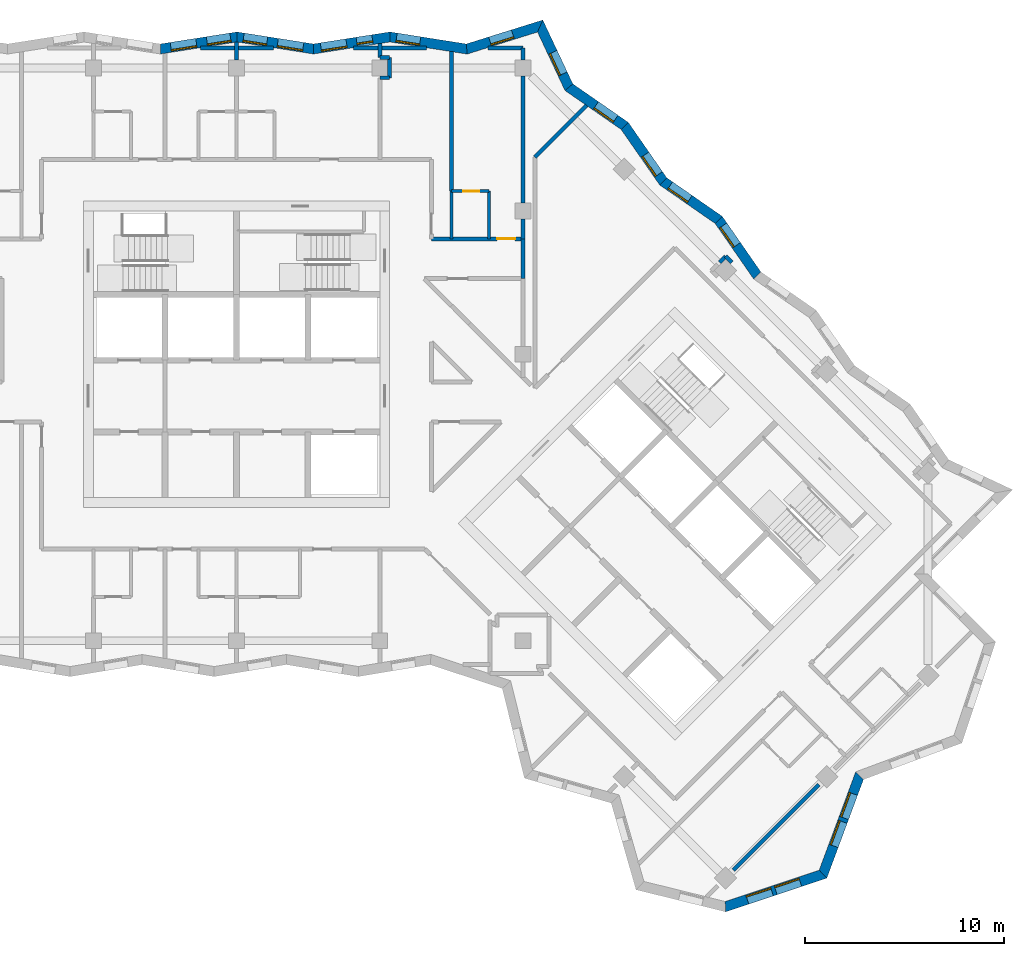
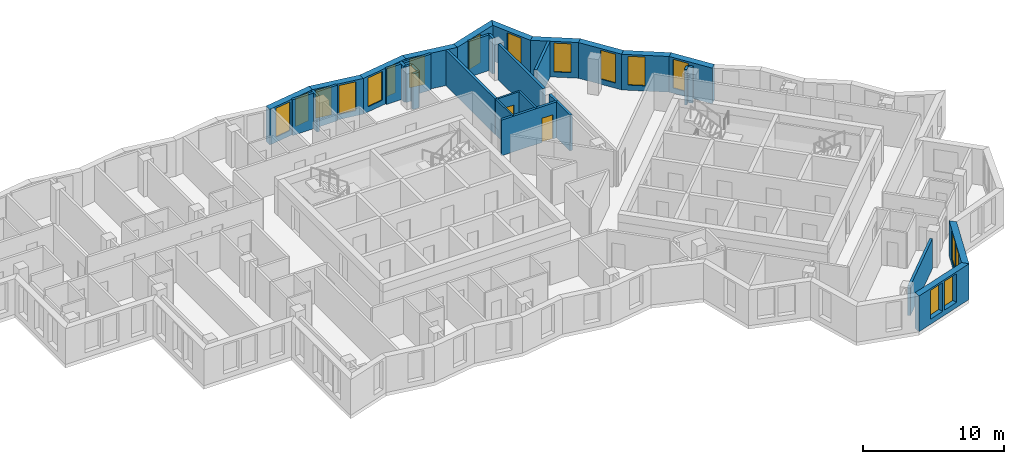
# One storey, part 8 of 13: 33 walls, 17 windows, 2 doors, 19 openings.
"""IFC4 building model written with IfcOpenShell, lengths in metres."""

from ifc_helpers import new_model, si_unit, direction, frame, frame_2d, origin, place, context, subcontext, project, spatial, polyline, rectangle, outline, extrude, material, layer, layer_set, type_object, element, fill, save


model = new_model("IFC4")

# Units and contexts
model_context = context("Model", 3, precision=1e-05, world=origin(), true_north=direction((0.0, 1.0)))
body_context = subcontext(model_context, "Body", "Model", "MODEL_VIEW")
ifc_project = project(units=[si_unit("LENGTHUNIT", "METRE"), si_unit("AREAUNIT", "SQUARE_METRE"), si_unit("VOLUMEUNIT", "CUBIC_METRE"), si_unit("PLANEANGLEUNIT", "RADIAN"), si_unit("MASSUNIT", "GRAM", prefix="KILO")], contexts=[model_context])

# Site, building, storey
site_placement = place(None, origin())
site = spatial("IfcSite", under=ifc_project, at=site_placement, CompositionType="ELEMENT")
building_placement = place(site_placement, origin())
building = spatial("IfcBuilding", under=site, at=building_placement, Name="Windrow Commons", CompositionType="ELEMENT")
storey_placement = place(building_placement, frame((0.0, 0.0, 223.6)))
storey = spatial("IfcBuildingStorey", under=building, at=storey_placement, Name="L61", CompositionType="ELEMENT", Elevation=223.6)

# Wall, openings, windows
ifc_material_1 = material(Name="Brick masonry, red clay brick", Category="masonry")
ifc_layer_1 = layer(ifc_material_1, 0.5)
ifc_layer_set_1 = layer_set([ifc_layer_1], Name="Brick facade wall 500")
wall_type_1 = type_object("IfcWallType", Name="Brick facade wall 500", PredefinedType="SOLIDWALL", material=ifc_layer_set_1)
wall_1_placement = place(storey_placement, frame((89.3719, 29.8336, 0.0), z_axis=(0.0, 0.0, 1.0), x_axis=(0.9486832981, 0.316227766, 0.0)))
wall_1 = element("IfcWall", 1, at=wall_1_placement, inside=storey, type_object=wall_type_1, Name="Brick facade wall L61 1", PredefinedType="SOLIDWALL", context=body_context, shape_type="SweptSolid", body=[
    extrude(outline(polyline([(-0.0723, -0.25), (5.2942, -0.25), (5.0547, 0.25), (0.0723, 0.25), (-0.0723, -0.25)])), origin(), (0.0, 0.0, 1.0), 3.1),
])
opening_1_placement = place(wall_1_placement, frame((1.1595, 0.0, 0.45)))
opening_1 = element("IfcOpeningElement", 2, at=opening_1_placement, cuts=wall_1, Name="Opening W1Q", PredefinedType="OPENING", context=body_context, shape_type="SweptSolid", body=[
    extrude(rectangle(XDim=1.3, YDim=2.5, at=frame_2d((0.65, 1.25))), frame((0.0, 0.26, 0.0), z_axis=(0.0, -1.0, 0.0), x_axis=(1.0, 0.0, 0.0)), (0.0, 0.0, 1.0), 0.52),
])
opening_2_placement = place(wall_1_placement, frame((2.6595, 0.0, 0.45)))
opening_2 = element("IfcOpeningElement", 3, at=opening_2_placement, cuts=wall_1, Name="Opening W1Q", PredefinedType="OPENING", context=body_context, shape_type="SweptSolid", body=[
    extrude(rectangle(XDim=1.3, YDim=2.5, at=frame_2d((0.65, 1.25))), frame((0.0, 0.26, 0.0), z_axis=(0.0, -1.0, 0.0), x_axis=(1.0, 0.0, 0.0)), (0.0, 0.0, 1.0), 0.52),
])
ifc_material_2 = material(Name="Clear float glass in anodised aluminium frame", Category="aluminium")
window_type_1 = type_object("IfcWindowType", Name="Window W1Q pair 1300x2500", PartitioningType="SINGLE_PANEL", PredefinedType="WINDOW", material=ifc_material_2)
window_1_placement = place(opening_1_placement, origin())
window_1 = element("IfcWindow", 4, at=window_1_placement, inside=storey, type_object=window_type_1, Name="Window L61 1.1A", OverallHeight=2.5, OverallWidth=1.3, PartitioningType="SINGLE_PANEL", PredefinedType="WINDOW", context=body_context, shape_type="SweptSolid", body=[
    extrude(rectangle(XDim=1.3, YDim=2.5, at=frame_2d((0.65, 1.25))), frame((0.0, 0.18, 0.0), z_axis=(0.0, -1.0, 0.0), x_axis=(1.0, 0.0, 0.0)), (0.0, 0.0, 1.0), 0.06),
])
fill(opening_1, window_1)
window_2_placement = place(opening_2_placement, origin())
window_2 = element("IfcWindow", 5, at=window_2_placement, inside=storey, type_object=window_type_1, Name="Window L61 1.1B", OverallHeight=2.5, OverallWidth=1.3, PartitioningType="SINGLE_PANEL", PredefinedType="WINDOW", context=body_context, shape_type="SweptSolid", body=[
    extrude(rectangle(XDim=1.3, YDim=2.5, at=frame_2d((0.65, 1.25))), frame((0.0, 0.18, 0.0), z_axis=(0.0, -1.0, 0.0), x_axis=(1.0, 0.0, 0.0)), (0.0, 0.0, 1.0), 0.06),
])
fill(opening_2, window_2)

wall_2_placement = place(storey_placement, frame((94.2808, 31.4699, 0.0), z_axis=(0.0, 0.0, 1.0), x_axis=(0.3481903374, 0.9374238577, 0.0)))
wall_2 = element("IfcWall", 6, at=wall_2_placement, inside=storey, type_object=wall_type_1, Name="Brick facade wall L61 2", PredefinedType="SOLIDWALL", context=body_context, shape_type="SweptSolid", body=[
    extrude(outline(polyline([(-0.1197, -0.25), (5.1604, -0.25), (5.3896, 0.25), (0.1197, 0.25), (-0.1197, -0.25)])), origin(), (0.0, 0.0, 1.0), 3.1),
])
opening_3_placement = place(wall_2_placement, frame((1.5123, 0.0, 0.45)))
opening_3 = element("IfcOpeningElement", 7, at=opening_3_placement, cuts=wall_2, Name="Opening W1Q", PredefinedType="OPENING", context=body_context, shape_type="SweptSolid", body=[
    extrude(rectangle(XDim=1.3, YDim=2.5, at=frame_2d((0.65, 1.25))), frame((0.0, 0.26, 0.0), z_axis=(0.0, -1.0, 0.0), x_axis=(1.0, 0.0, 0.0)), (0.0, 0.0, 1.0), 0.52),
])
opening_4_placement = place(wall_2_placement, frame((3.0123, 0.0, 0.45)))
opening_4 = element("IfcOpeningElement", 8, at=opening_4_placement, cuts=wall_2, Name="Opening W1Q", PredefinedType="OPENING", context=body_context, shape_type="SweptSolid", body=[
    extrude(rectangle(XDim=1.3, YDim=2.5, at=frame_2d((0.65, 1.25))), frame((0.0, 0.26, 0.0), z_axis=(0.0, -1.0, 0.0), x_axis=(1.0, 0.0, 0.0)), (0.0, 0.0, 1.0), 0.52),
])
window_3_placement = place(opening_3_placement, origin())
window_3 = element("IfcWindow", 9, at=window_3_placement, inside=storey, type_object=window_type_1, Name="Window L61 2.1A", OverallHeight=2.5, OverallWidth=1.3, PartitioningType="SINGLE_PANEL", PredefinedType="WINDOW", context=body_context, shape_type="SweptSolid", body=[
    extrude(rectangle(XDim=1.3, YDim=2.5, at=frame_2d((0.65, 1.25))), frame((0.0, 0.18, 0.0), z_axis=(0.0, -1.0, 0.0), x_axis=(1.0, 0.0, 0.0)), (0.0, 0.0, 1.0), 0.06),
])
fill(opening_3, window_3)
window_4_placement = place(opening_4_placement, origin())
window_4 = element("IfcWindow", 10, at=window_4_placement, inside=storey, type_object=window_type_1, Name="Window L61 2.1B", OverallHeight=2.5, OverallWidth=1.3, PartitioningType="SINGLE_PANEL", PredefinedType="WINDOW", context=body_context, shape_type="SweptSolid", body=[
    extrude(rectangle(XDim=1.3, YDim=2.5, at=frame_2d((0.65, 1.25))), frame((0.0, 0.18, 0.0), z_axis=(0.0, -1.0, 0.0), x_axis=(1.0, 0.0, 0.0)), (0.0, 0.0, 1.0), 0.06),
])
fill(opening_4, window_4)

# Wall, opening, window
wall_3_placement = place(storey_placement, frame((90.9721, 61.5657, 0.0), z_axis=(0.0, 0.0, 1.0), x_axis=(-0.5702025117, 0.8215041665, 0.0)))
wall_3 = element("IfcWall", 11, at=wall_3_placement, inside=storey, type_object=wall_type_1, Name="Brick facade wall L61 12", PredefinedType="SOLIDWALL", context=body_context, shape_type="SweptSolid", body=[
    extrude(outline(polyline([(0.0451, -0.25), (3.4387, -0.25), (3.3484, 0.25), (-0.0451, 0.25), (0.0451, -0.25)])), origin(), (0.0, 0.0, 1.0), 3.1),
])
opening_5_placement = place(wall_3_placement, frame((1.8359, 0.0, 0.45)))
opening_5 = element("IfcOpeningElement", 12, at=opening_5_placement, cuts=wall_3, Name="Opening W7E", PredefinedType="OPENING", context=body_context, shape_type="SweptSolid", body=[
    extrude(rectangle(XDim=1.2, YDim=2.5, at=frame_2d((0.6, 1.25))), frame((0.0, 0.26, 0.0), z_axis=(0.0, -1.0, 0.0), x_axis=(1.0, 0.0, 0.0)), (0.0, 0.0, 1.0), 0.52),
])
ifc_material_3 = material(Name="Clear float glass in anodised aluminium frame", Category="aluminium")
window_type_2 = type_object("IfcWindowType", Name="Window W7 notch 1200x2500", PartitioningType="SINGLE_PANEL", PredefinedType="WINDOW", material=ifc_material_3)
window_5_placement = place(opening_5_placement, origin())
window_5 = element("IfcWindow", 13, at=window_5_placement, inside=storey, type_object=window_type_2, Name="Window L61 12.1", OverallHeight=2.5, OverallWidth=1.2, PartitioningType="SINGLE_PANEL", PredefinedType="WINDOW", context=body_context, shape_type="SweptSolid", body=[
    extrude(rectangle(XDim=1.2, YDim=2.5, at=frame_2d((0.6, 1.25))), frame((0.0, 0.18, 0.0), z_axis=(0.0, -1.0, 0.0), x_axis=(1.0, 0.0, 0.0)), (0.0, 0.0, 1.0), 0.06),
])
fill(opening_5, window_5)

wall_4_placement = place(storey_placement, frame((89.0371, 64.3535, 0.0), z_axis=(0.0, 0.0, 1.0), x_axis=(-0.8215041665, 0.5702025117, 0.0)))
wall_4 = element("IfcWall", 14, at=wall_4_placement, inside=storey, type_object=wall_type_1, Name="Brick facade wall L61 13", PredefinedType="SOLIDWALL", context=body_context, shape_type="SweptSolid", body=[
    extrude(outline(polyline([(-0.0451, -0.25), (3.3484, -0.25), (3.4387, 0.25), (0.0451, 0.25), (-0.0451, -0.25)])), origin(), (0.0, 0.0, 1.0), 3.1),
])
opening_6_placement = place(wall_4_placement, frame((1.7908, 0.0, 0.45)))
opening_6 = element("IfcOpeningElement", 15, at=opening_6_placement, cuts=wall_4, Name="Opening W7E", PredefinedType="OPENING", context=body_context, shape_type="SweptSolid", body=[
    extrude(rectangle(XDim=1.2, YDim=2.5, at=frame_2d((0.6, 1.25))), frame((0.0, 0.26, 0.0), z_axis=(0.0, -1.0, 0.0), x_axis=(1.0, 0.0, 0.0)), (0.0, 0.0, 1.0), 0.52),
])
window_6_placement = place(opening_6_placement, origin())
window_6 = element("IfcWindow", 16, at=window_6_placement, inside=storey, type_object=window_type_2, Name="Window L61 13.1", OverallHeight=2.5, OverallWidth=1.2, PartitioningType="SINGLE_PANEL", PredefinedType="WINDOW", context=body_context, shape_type="SweptSolid", body=[
    extrude(rectangle(XDim=1.2, YDim=2.5, at=frame_2d((0.6, 1.25))), frame((0.0, 0.18, 0.0), z_axis=(0.0, -1.0, 0.0), x_axis=(1.0, 0.0, 0.0)), (0.0, 0.0, 1.0), 0.06),
])
fill(opening_6, window_6)

wall_5_placement = place(storey_placement, frame((86.2493, 66.2885, 0.0), z_axis=(0.0, 0.0, 1.0), x_axis=(-0.5702025117, 0.8215041665, 0.0)))
wall_5 = element("IfcWall", 17, at=wall_5_placement, inside=storey, type_object=wall_type_1, Name="Brick facade wall L61 14", PredefinedType="SOLIDWALL", context=body_context, shape_type="SweptSolid", body=[
    extrude(outline(polyline([(0.0451, -0.25), (3.4387, -0.25), (3.3484, 0.25), (-0.0451, 0.25), (0.0451, -0.25)])), origin(), (0.0, 0.0, 1.0), 3.1),
])
opening_7_placement = place(wall_5_placement, frame((0.4264, 0.0, 0.45)))
opening_7 = element("IfcOpeningElement", 18, at=opening_7_placement, cuts=wall_5, Name="Opening W7E", PredefinedType="OPENING", context=body_context, shape_type="SweptSolid", body=[
    extrude(rectangle(XDim=1.2, YDim=2.5, at=frame_2d((0.6, 1.25))), frame((0.0, 0.26, 0.0), z_axis=(0.0, -1.0, 0.0), x_axis=(1.0, 0.0, 0.0)), (0.0, 0.0, 1.0), 0.52),
])
window_7_placement = place(opening_7_placement, origin())
window_7 = element("IfcWindow", 19, at=window_7_placement, inside=storey, type_object=window_type_2, Name="Window L61 14.1", OverallHeight=2.5, OverallWidth=1.2, PartitioningType="SINGLE_PANEL", PredefinedType="WINDOW", context=body_context, shape_type="SweptSolid", body=[
    extrude(rectangle(XDim=1.2, YDim=2.5, at=frame_2d((0.6, 1.25))), frame((0.0, 0.18, 0.0), z_axis=(0.0, -1.0, 0.0), x_axis=(1.0, 0.0, 0.0)), (0.0, 0.0, 1.0), 0.06),
])
fill(opening_7, window_7)

wall_6_placement = place(storey_placement, frame((84.3143, 69.0763, 0.0), z_axis=(0.0, 0.0, 1.0), x_axis=(-0.8215033056, 0.5702037521, 0.0)))
wall_6 = element("IfcWall", 20, at=wall_6_placement, inside=storey, type_object=wall_type_1, Name="Brick facade wall L61 15", PredefinedType="SOLIDWALL", context=body_context, shape_type="SweptSolid", body=[
    extrude(outline(polyline([(-0.0451, -0.25), (3.3484, -0.25), (3.4826, 0.25), (0.0451, 0.25), (-0.0451, -0.25)])), origin(), (0.0, 0.0, 1.0), 3.1),
])
opening_8_placement = place(wall_6_placement, frame((0.5813, 0.0, 0.45)))
opening_8 = element("IfcOpeningElement", 21, at=opening_8_placement, cuts=wall_6, Name="Opening W7E", PredefinedType="OPENING", context=body_context, shape_type="SweptSolid", body=[
    extrude(rectangle(XDim=1.2, YDim=2.5, at=frame_2d((0.6, 1.25))), frame((0.0, 0.26, 0.0), z_axis=(0.0, -1.0, 0.0), x_axis=(1.0, 0.0, 0.0)), (0.0, 0.0, 1.0), 0.52),
])
window_8_placement = place(opening_8_placement, origin())
window_8 = element("IfcWindow", 22, at=window_8_placement, inside=storey, type_object=window_type_2, Name="Window L61 15.1", OverallHeight=2.5, OverallWidth=1.2, PartitioningType="SINGLE_PANEL", PredefinedType="WINDOW", context=body_context, shape_type="SweptSolid", body=[
    extrude(rectangle(XDim=1.2, YDim=2.5, at=frame_2d((0.6, 1.25))), frame((0.0, 0.18, 0.0), z_axis=(0.0, -1.0, 0.0), x_axis=(1.0, 0.0, 0.0)), (0.0, 0.0, 1.0), 0.06),
])
fill(opening_8, window_8)

wall_7_placement = place(storey_placement, frame((81.5085, 71.0238, 0.0), z_axis=(0.0, 0.0, 1.0), x_axis=(-0.4256057347, 0.9049087018, 0.0)))
wall_7 = element("IfcWall", 23, at=wall_7_placement, inside=storey, type_object=wall_type_1, Name="Brick facade wall L61 16", PredefinedType="SOLIDWALL", context=body_context, shape_type="SweptSolid", body=[
    extrude(outline(polyline([(0.0671, -0.25), (3.6167, -0.25), (3.1806, 0.25), (-0.0671, 0.25), (0.0671, -0.25)])), origin(), (0.0, 0.0, 1.0), 3.1),
])
opening_9_placement = place(wall_7_placement, frame((0.7344, 0.0, 0.45)))
opening_9 = element("IfcOpeningElement", 24, at=opening_9_placement, cuts=wall_7, Name="Opening W7E", PredefinedType="OPENING", context=body_context, shape_type="SweptSolid", body=[
    extrude(rectangle(XDim=1.2, YDim=2.5, at=frame_2d((0.6, 1.25))), frame((0.0, 0.26, 0.0), z_axis=(0.0, -1.0, 0.0), x_axis=(1.0, 0.0, 0.0)), (0.0, 0.0, 1.0), 0.52),
])
window_9_placement = place(opening_9_placement, origin())
window_9 = element("IfcWindow", 25, at=window_9_placement, inside=storey, type_object=window_type_2, Name="Window L61 16.1", OverallHeight=2.5, OverallWidth=1.2, PartitioningType="SINGLE_PANEL", PredefinedType="WINDOW", context=body_context, shape_type="SweptSolid", body=[
    extrude(rectangle(XDim=1.2, YDim=2.5, at=frame_2d((0.6, 1.25))), frame((0.0, 0.18, 0.0), z_axis=(0.0, -1.0, 0.0), x_axis=(1.0, 0.0, 0.0)), (0.0, 0.0, 1.0), 0.06),
])
fill(opening_9, window_9)

wall_8_placement = place(storey_placement, frame((80.062, 74.0993, 0.0), z_axis=(0.0, 0.0, 1.0), x_axis=(-0.9543289305, -0.2987579161, 0.0)))
wall_8 = element("IfcWall", 26, at=wall_8_placement, inside=storey, type_object=wall_type_1, Name="Brick facade wall L61 17", PredefinedType="SOLIDWALL", context=body_context, shape_type="SweptSolid", body=[
    extrude(outline(polyline([(-0.2181, -0.25), (3.8086, -0.25), (3.9254, 0.25), (0.2181, 0.25), (-0.2181, -0.25)])), origin(), (0.0, 0.0, 1.0), 3.1),
])
opening_10_placement = place(wall_8_placement, frame((1.4351, 0.0, 0.45)))
opening_10 = element("IfcOpeningElement", 27, at=opening_10_placement, cuts=wall_8, Name="Opening W7E", PredefinedType="OPENING", context=body_context, shape_type="SweptSolid", body=[
    extrude(rectangle(XDim=1.2, YDim=2.5, at=frame_2d((0.6, 1.25))), frame((0.0, 0.26, 0.0), z_axis=(0.0, -1.0, 0.0), x_axis=(1.0, 0.0, 0.0)), (0.0, 0.0, 1.0), 0.52),
])
window_10_placement = place(opening_10_placement, origin())
window_10 = element("IfcWindow", 28, at=window_10_placement, inside=storey, type_object=window_type_2, Name="Window L61 17.1", OverallHeight=2.5, OverallWidth=1.2, PartitioningType="SINGLE_PANEL", PredefinedType="WINDOW", context=body_context, shape_type="SweptSolid", body=[
    extrude(rectangle(XDim=1.2, YDim=2.5, at=frame_2d((0.6, 1.25))), frame((0.0, 0.18, 0.0), z_axis=(0.0, -1.0, 0.0), x_axis=(1.0, 0.0, 0.0)), (0.0, 0.0, 1.0), 0.06),
])
fill(opening_10, window_10)

wall_9_placement = place(storey_placement, frame((76.3716, 72.944, 0.0), z_axis=(0.0, 0.0, 1.0), x_axis=(-0.9879139197, 0.1550035072, 0.0)))
wall_9 = element("IfcWall", 29, at=wall_9_placement, inside=storey, type_object=wall_type_1, Name="Brick facade wall L61 18", PredefinedType="SOLIDWALL", context=body_context, shape_type="SweptSolid", body=[
    extrude(outline(polyline([(0.0584, -0.25), (3.9482, -0.25), (3.8697, 0.25), (-0.0584, 0.25), (0.0584, -0.25)])), origin(), (0.0, 0.0, 1.0), 3.1),
])
opening_11_placement = place(wall_9_placement, frame((2.3754, 0.0, 0.45)))
opening_11 = element("IfcOpeningElement", 30, at=opening_11_placement, cuts=wall_9, Name="Opening W7E", PredefinedType="OPENING", context=body_context, shape_type="SweptSolid", body=[
    extrude(rectangle(XDim=1.2, YDim=2.5, at=frame_2d((0.6, 1.25))), frame((0.0, 0.26, 0.0), z_axis=(0.0, -1.0, 0.0), x_axis=(1.0, 0.0, 0.0)), (0.0, 0.0, 1.0), 0.52),
])
window_11_placement = place(opening_11_placement, origin())
window_11 = element("IfcWindow", 31, at=window_11_placement, inside=storey, type_object=window_type_2, Name="Window L61 18.1", OverallHeight=2.5, OverallWidth=1.2, PartitioningType="SINGLE_PANEL", PredefinedType="WINDOW", context=body_context, shape_type="SweptSolid", body=[
    extrude(rectangle(XDim=1.2, YDim=2.5, at=frame_2d((0.6, 1.25))), frame((0.0, 0.18, 0.0), z_axis=(0.0, -1.0, 0.0), x_axis=(1.0, 0.0, 0.0)), (0.0, 0.0, 1.0), 0.06),
])
fill(opening_11, window_11)

# Wall, openings, windows
wall_10_placement = place(storey_placement, frame((72.5099, 73.5499, 0.0), z_axis=(0.0, 0.0, 1.0), x_axis=(-0.9879107269, -0.1550238552, 0.0)))
wall_10 = element("IfcWall", 32, at=wall_10_placement, inside=storey, type_object=wall_type_1, Name="Brick facade wall L61 19", PredefinedType="SOLIDWALL", context=body_context, shape_type="SweptSolid", body=[
    extrude(outline(polyline([(-0.0392, -0.25), (3.8505, -0.25), (3.929, 0.25), (0.0392, 0.25), (-0.0392, -0.25)])), origin(), (0.0, 0.0, 1.0), 3.1),
])
opening_12_placement = place(wall_10_placement, frame((2.203, 0.0, 0.45)))
opening_12 = element("IfcOpeningElement", 33, at=opening_12_placement, cuts=wall_10, Name="Opening W1Q", PredefinedType="OPENING", context=body_context, shape_type="SweptSolid", body=[
    extrude(rectangle(XDim=1.3, YDim=2.5, at=frame_2d((0.65, 1.25))), frame((0.0, 0.26, 0.0), z_axis=(0.0, -1.0, 0.0), x_axis=(1.0, 0.0, 0.0)), (0.0, 0.0, 1.0), 0.52),
])
opening_13_placement = place(wall_10_placement, frame((0.885, 0.0, 0.45)))
opening_13 = element("IfcOpeningElement", 34, at=opening_13_placement, cuts=wall_10, Name="Opening W1N", PredefinedType="OPENING", context=body_context, shape_type="SweptSolid", body=[
    extrude(rectangle(XDim=0.8, YDim=2.5, at=frame_2d((0.4, 1.25))), frame((0.0, 0.26, 0.0), z_axis=(0.0, -1.0, 0.0), x_axis=(1.0, 0.0, 0.0)), (0.0, 0.0, 1.0), 0.52),
])
ifc_material_4 = material(Name="Clear float glass in anodised aluminium frame", Category="aluminium")
window_type_3 = type_object("IfcWindowType", Name="Window W1N slit 800x2500", PartitioningType="SINGLE_PANEL", PredefinedType="WINDOW", material=ifc_material_4)
window_12_placement = place(opening_13_placement, origin())
window_12 = element("IfcWindow", 35, at=window_12_placement, inside=storey, type_object=window_type_3, Name="Window L61 19.1AA", OverallHeight=2.5, OverallWidth=0.8, PartitioningType="SINGLE_PANEL", PredefinedType="WINDOW", context=body_context, shape_type="SweptSolid", body=[
    extrude(rectangle(XDim=0.8, YDim=2.5, at=frame_2d((0.4, 1.25))), frame((0.0, 0.12, 0.0), z_axis=(0.0, -1.0, 0.0), x_axis=(1.0, 0.0, 0.0)), (0.0, 0.0, 1.0), 0.06),
])
fill(opening_13, window_12)
window_13_placement = place(opening_12_placement, origin())
window_13 = element("IfcWindow", 36, at=window_13_placement, inside=storey, type_object=window_type_1, Name="Window L61 19.1B", OverallHeight=2.5, OverallWidth=1.3, PartitioningType="SINGLE_PANEL", PredefinedType="WINDOW", context=body_context, shape_type="SweptSolid", body=[
    extrude(rectangle(XDim=1.3, YDim=2.5, at=frame_2d((0.65, 1.25))), frame((0.0, 0.18, 0.0), z_axis=(0.0, -1.0, 0.0), x_axis=(1.0, 0.0, 0.0)), (0.0, 0.0, 1.0), 0.06),
])
fill(opening_12, window_13)

wall_11_placement = place(storey_placement, frame((68.6672, 72.9469, 0.0), z_axis=(0.0, 0.0, 1.0), x_axis=(-0.9879113447, 0.155019918, 0.0)))
wall_11 = element("IfcWall", 37, at=wall_11_placement, inside=storey, type_object=wall_type_1, Name="Brick facade wall L61 20", PredefinedType="SOLIDWALL", context=body_context, shape_type="SweptSolid", body=[
    extrude(outline(polyline([(0.0392, -0.25), (3.929, -0.25), (3.8505, 0.25), (-0.0392, 0.25), (0.0392, -0.25)])), origin(), (0.0, 0.0, 1.0), 3.1),
])
opening_14_placement = place(wall_11_placement, frame((0.5253, 0.0, 0.45)))
opening_14 = element("IfcOpeningElement", 38, at=opening_14_placement, cuts=wall_11, Name="Opening W1Q", PredefinedType="OPENING", context=body_context, shape_type="SweptSolid", body=[
    extrude(rectangle(XDim=1.3, YDim=2.5, at=frame_2d((0.65, 1.25))), frame((0.0, 0.26, 0.0), z_axis=(0.0, -1.0, 0.0), x_axis=(1.0, 0.0, 0.0)), (0.0, 0.0, 1.0), 0.52),
])
opening_15_placement = place(wall_11_placement, frame((2.3624, 0.0, 0.5)))
opening_15 = element("IfcOpeningElement", 39, at=opening_15_placement, cuts=wall_11, Name="Opening W7D", PredefinedType="OPENING", context=body_context, shape_type="SweptSolid", body=[
    extrude(rectangle(XDim=1.2, YDim=2.45, at=frame_2d((0.6, 1.225))), frame((0.0, 0.26, 0.0), z_axis=(0.0, -1.0, 0.0), x_axis=(1.0, 0.0, 0.0)), (0.0, 0.0, 1.0), 0.52),
])
window_14_placement = place(opening_14_placement, origin())
window_14 = element("IfcWindow", 40, at=window_14_placement, inside=storey, type_object=window_type_1, Name="Window L61 20.1A", OverallHeight=2.5, OverallWidth=1.3, PartitioningType="SINGLE_PANEL", PredefinedType="WINDOW", context=body_context, shape_type="SweptSolid", body=[
    extrude(rectangle(XDim=1.3, YDim=2.5, at=frame_2d((0.65, 1.25))), frame((0.0, 0.18, 0.0), z_axis=(0.0, -1.0, 0.0), x_axis=(1.0, 0.0, 0.0)), (0.0, 0.0, 1.0), 0.06),
])
fill(opening_14, window_14)
ifc_material_5 = material(Name="Clear float glass in anodised aluminium frame", Category="aluminium")
window_type_4 = type_object("IfcWindowType", Name="Window W7 notch 1200x2450", PartitioningType="SINGLE_PANEL", PredefinedType="WINDOW", material=ifc_material_5)
window_15_placement = place(opening_15_placement, origin())
window_15 = element("IfcWindow", 41, at=window_15_placement, inside=storey, type_object=window_type_4, Name="Window L61 20.1BA", OverallHeight=2.45, OverallWidth=1.2, PartitioningType="SINGLE_PANEL", PredefinedType="WINDOW", context=body_context, shape_type="SweptSolid", body=[
    extrude(rectangle(XDim=1.2, YDim=2.45, at=frame_2d((0.6, 1.225))), frame((0.0, 0.18, 0.0), z_axis=(0.0, -1.0, 0.0), x_axis=(1.0, 0.0, 0.0)), (0.0, 0.0, 1.0), 0.06),
])
fill(opening_15, window_15)

wall_12_placement = place(storey_placement, frame((64.8244, 73.5499, 0.0), z_axis=(0.0, 0.0, 1.0), x_axis=(-0.9879107269, -0.1550238552, 0.0)))
wall_12 = element("IfcWall", 42, at=wall_12_placement, inside=storey, type_object=wall_type_1, Name="Brick facade wall L61 21", PredefinedType="SOLIDWALL", context=body_context, shape_type="SweptSolid", body=[
    extrude(outline(polyline([(-0.0392, -0.25), (3.8505, -0.25), (3.929, 0.25), (0.0392, 0.25), (-0.0392, -0.25)])), origin(), (0.0, 0.0, 1.0), 3.1),
])
opening_16_placement = place(wall_12_placement, frame((2.0645, 0.0, 0.45)))
opening_16 = element("IfcOpeningElement", 43, at=opening_16_placement, cuts=wall_12, Name="Opening W1Q", PredefinedType="OPENING", context=body_context, shape_type="SweptSolid", body=[
    extrude(rectangle(XDim=1.3, YDim=2.5, at=frame_2d((0.65, 1.25))), frame((0.0, 0.26, 0.0), z_axis=(0.0, -1.0, 0.0), x_axis=(1.0, 0.0, 0.0)), (0.0, 0.0, 1.0), 0.52),
])
opening_17_placement = place(wall_12_placement, frame((0.3275, 0.0, 0.5)))
opening_17 = element("IfcOpeningElement", 44, at=opening_17_placement, cuts=wall_12, Name="Opening W7D", PredefinedType="OPENING", context=body_context, shape_type="SweptSolid", body=[
    extrude(rectangle(XDim=1.2, YDim=2.45, at=frame_2d((0.6, 1.225))), frame((0.0, 0.26, 0.0), z_axis=(0.0, -1.0, 0.0), x_axis=(1.0, 0.0, 0.0)), (0.0, 0.0, 1.0), 0.52),
])
window_16_placement = place(opening_16_placement, origin())
window_16 = element("IfcWindow", 45, at=window_16_placement, inside=storey, type_object=window_type_1, Name="Window L61 21.1B", OverallHeight=2.5, OverallWidth=1.3, PartitioningType="SINGLE_PANEL", PredefinedType="WINDOW", context=body_context, shape_type="SweptSolid", body=[
    extrude(rectangle(XDim=1.3, YDim=2.5, at=frame_2d((0.65, 1.25))), frame((0.0, 0.18, 0.0), z_axis=(0.0, -1.0, 0.0), x_axis=(1.0, 0.0, 0.0)), (0.0, 0.0, 1.0), 0.06),
])
fill(opening_16, window_16)
window_17_placement = place(opening_17_placement, origin())
window_17 = element("IfcWindow", 46, at=window_17_placement, inside=storey, type_object=window_type_4, Name="Window L61 21.1AA", OverallHeight=2.45, OverallWidth=1.2, PartitioningType="SINGLE_PANEL", PredefinedType="WINDOW", context=body_context, shape_type="SweptSolid", body=[
    extrude(rectangle(XDim=1.2, YDim=2.45, at=frame_2d((0.6, 1.225))), frame((0.0, 0.18, 0.0), z_axis=(0.0, -1.0, 0.0), x_axis=(1.0, 0.0, 0.0)), (0.0, 0.0, 1.0), 0.06),
])
fill(opening_17, window_17)

# Wall, opening, door
ifc_material_6 = material(Name="Blockwork partition", Category="masonry")
ifc_layer_2 = layer(ifc_material_6, 0.2)
ifc_layer_set_2 = layer_set([ifc_layer_2], Name="IW-CORRIDOR-200")
wall_type_2 = type_object("IfcWallType", Name="IW-CORRIDOR-200", PredefinedType="PARTITIONING", material=ifc_layer_set_2)
wall_13_placement = place(storey_placement, frame((74.602, 63.4, 0.0), z_axis=(0.0, 0.0, 1.0), x_axis=(1.0, 0.0, 0.0)))
wall_13 = element("IfcWall", 47, at=wall_13_placement, inside=storey, type_object=wall_type_2, Name="W-L61-W040", PredefinedType="PARTITIONING", context=body_context, shape_type="SweptSolid", body=[
    extrude(rectangle(XDim=4.598, YDim=0.2, at=frame_2d((2.299, 0.0))), origin(), (0.0, 0.0, 1.0), 3.1),
])
opening_18_placement = place(wall_13_placement, frame((3.298, 0.0, 0.0)))
opening_18 = element("IfcOpeningElement", 48, at=opening_18_placement, cuts=wall_13, Name="Opening D109S", PredefinedType="OPENING", context=body_context, shape_type="SweptSolid", body=[
    extrude(rectangle(XDim=0.9, YDim=2.1, at=frame_2d((0.45, 1.05))), frame((0.0, 0.11, 0.0), z_axis=(0.0, -1.0, 0.0), x_axis=(1.0, 0.0, 0.0)), (0.0, 0.0, 1.0), 0.22),
])
ifc_material_7 = material(Name="Timber door leaf", Category="wood")
door_type_1 = type_object("IfcDoorType", Name="DT-BEDROOM-900", OperationType="SINGLE_SWING_LEFT", PredefinedType="DOOR", material=ifc_material_7)
door_1_placement = place(opening_18_placement, origin())
door_1 = element("IfcDoor", 49, at=door_1_placement, inside=storey, type_object=door_type_1, Name="D-L61-D023", OperationType="SINGLE_SWING_LEFT", OverallHeight=2.1, OverallWidth=0.9, PredefinedType="DOOR", context=body_context, shape_type="SweptSolid", body=[
    extrude(rectangle(XDim=0.9, YDim=2.1, at=frame_2d((0.45, 1.05))), frame((0.0, 0.025, 0.0), z_axis=(0.0, -1.0, 0.0), x_axis=(1.0, 0.0, 0.0)), (0.0, 0.0, 1.0), 0.05),
])
fill(opening_18, door_1)

# Walls
wall_14_placement = place(storey_placement, frame((79.2, 61.4, 0.0), z_axis=(0.0, 0.0, 1.0), x_axis=(0.0, 1.0, 0.0)))
element("IfcWall", 50, at=wall_14_placement, inside=storey, type_object=wall_type_2, Name="W-L61-W109", PredefinedType="PARTITIONING", context=body_context, shape_type="SweptSolid", body=[
    extrude(rectangle(XDim=2.0, YDim=0.2, at=frame_2d((1.0, 0.0))), origin(), (0.0, 0.0, 1.0), 3.1),
])
ifc_material_8 = material(Name="Blockwork partition", Category="masonry")
ifc_layer_3 = layer(ifc_material_8, 0.15)
ifc_layer_set_3 = layer_set([ifc_layer_3], Name="IW-ENSUITE-150")
wall_type_3 = type_object("IfcWallType", Name="IW-ENSUITE-150", PredefinedType="PARTITIONING", material=ifc_layer_set_3)
for number, where, z_axis, x_axis, name in (
    (51, (75.6, 63.4, 0.0), (0.0, 0.0, 1.0), (0.0, 1.0, 0.0), "W-L61-W094"),
    (52, (77.5, 63.4, 0.0), (0.0, 0.0, 1.0), (0.0, 1.0, 0.0), "W-L61-W095"),
):
    element("IfcWall", number, at=place(storey_placement, frame(where, z_axis=z_axis, x_axis=x_axis)), inside=storey, type_object=wall_type_3, Name=name, PredefinedType="PARTITIONING", context=body_context, shape_type="SweptSolid", body=[
        extrude(rectangle(XDim=2.4, YDim=0.15, at=frame_2d((1.2, 0.0))), origin(), (0.0, 0.0, 1.0), 3.1),
    ])

# Wall, opening, door
wall_15_placement = place(storey_placement, frame((75.6, 65.8, 0.0), z_axis=(0.0, 0.0, 1.0), x_axis=(1.0, 0.0, 0.0)))
wall_15 = element("IfcWall", 53, at=wall_15_placement, inside=storey, type_object=wall_type_3, Name="W-L61-W115", PredefinedType="PARTITIONING", context=body_context, shape_type="SweptSolid", body=[
    extrude(rectangle(XDim=1.9, YDim=0.15, at=frame_2d((0.95, 0.0))), origin(), (0.0, 0.0, 1.0), 3.1),
])
opening_19_placement = place(wall_15_placement, frame((0.6069, 0.0, 0.0)))
opening_19 = element("IfcOpeningElement", 54, at=opening_19_placement, cuts=wall_15, Name="Opening D208N", PredefinedType="OPENING", context=body_context, shape_type="SweptSolid", body=[
    extrude(rectangle(XDim=0.8, YDim=2.1, at=frame_2d((0.4, 1.05))), frame((0.0, 0.085, 0.0), z_axis=(0.0, -1.0, 0.0), x_axis=(1.0, 0.0, 0.0)), (0.0, 0.0, 1.0), 0.17),
])
ifc_material_9 = material(Name="Timber door leaf", Category="wood")
door_type_2 = type_object("IfcDoorType", Name="DT-ENSUITE-800", OperationType="SINGLE_SWING_LEFT", PredefinedType="DOOR", material=ifc_material_9)
door_2_placement = place(opening_19_placement, origin())
door_2 = element("IfcDoor", 55, at=door_2_placement, inside=storey, type_object=door_type_2, Name="D-L61-D024", OperationType="SINGLE_SWING_RIGHT", OverallHeight=2.1, OverallWidth=0.8, PredefinedType="DOOR", context=body_context, shape_type="SweptSolid", body=[
    extrude(rectangle(XDim=0.8, YDim=2.1, at=frame_2d((0.4, 1.05))), frame((0.0, 0.025, 0.0), z_axis=(0.0, -1.0, 0.0), x_axis=(1.0, 0.0, 0.0)), (0.0, 0.0, 1.0), 0.05),
])
fill(opening_19, door_2)

# Walls
ifc_material_10 = material(Name="Blockwork partition", Category="masonry")
ifc_layer_4 = layer(ifc_material_10, 0.2)
ifc_layer_set_4 = layer_set([ifc_layer_4], Name="IW-PARTY-200")
wall_type_4 = type_object("IfcWallType", Name="IW-PARTY-200", PredefinedType="PARTITIONING", material=ifc_layer_set_4)
wall_16_placement = place(storey_placement, frame((75.6, 65.8, 0.0), z_axis=(0.0, 0.0, 1.0), x_axis=(0.0, 1.0, 0.0)))
element("IfcWall", 56, at=wall_16_placement, inside=storey, type_object=wall_type_4, Name="W-L61-W015", PredefinedType="PARTITIONING", context=body_context, shape_type="SweptSolid", body=[
    extrude(rectangle(XDim=7.012, YDim=0.2, at=frame_2d((3.506, 0.0))), origin(), (0.0, 0.0, 1.0), 3.1),
])
wall_17_placement = place(storey_placement, frame((79.2, 65.2, 0.0), z_axis=(0.0, 0.0, 1.0), x_axis=(0.0, 1.0, 0.0)))
element("IfcWall", 57, at=wall_17_placement, inside=storey, type_object=wall_type_4, Name="W-L61-W024", PredefinedType="PARTITIONING", context=body_context, shape_type="SweptSolid", body=[
    extrude(rectangle(XDim=6.4, YDim=0.2, at=frame_2d((3.2, 0.0))), origin(), (0.0, 0.0, 1.0), 3.1),
])
wall_18_placement = place(storey_placement, frame((89.781, 31.671, 0.0), z_axis=(0.0, 0.0, 1.0), x_axis=(0.7071067812, 0.7071067812, 0.0)))
element("IfcWall", 58, at=wall_18_placement, inside=storey, type_object=wall_type_4, Name="W-L61-W026", PredefinedType="PARTITIONING", context=body_context, shape_type="SweptSolid", body=[
    extrude(rectangle(XDim=6.0698, YDim=0.2, at=frame_2d((3.0349, 0.0))), origin(), (0.0, 0.0, 1.0), 2.6),
])
for number, where, z_axis, x_axis, name in (
    (59, (70.668, 73.0, 0.0), (0.0, 0.0, 1.0), (1.0, 0.0, 0.0), "W-L61-W051"),
    (60, (62.9825, 73.0, 0.0), (0.0, 0.0, 1.0), (1.0, 0.0, 0.0), "W-L61-W056"),
):
    element("IfcWall", number, at=place(storey_placement, frame(where, z_axis=z_axis, x_axis=x_axis)), inside=storey, type_object=wall_type_4, Name=name, PredefinedType="PARTITIONING", context=body_context, shape_type="SweptSolid", body=[
        extrude(rectangle(XDim=3.6839, YDim=0.2, at=frame_2d((1.8419, 0.0))), origin(), (0.0, 0.0, 1.0), 3.1),
    ])
wall_19_placement = place(storey_placement, frame((79.7988, 67.5092, 0.0), z_axis=(0.0, 0.0, 1.0), x_axis=(0.707093159, 0.7071204031, 0.0)))
element("IfcWall", 61, at=wall_19_placement, inside=storey, type_object=wall_type_4, Name="W-L61-W057", PredefinedType="PARTITIONING", context=body_context, shape_type="SweptSolid", body=[
    extrude(rectangle(XDim=3.6705, YDim=0.2, at=frame_2d((1.8353, 0.0))), origin(), (0.0, 0.0, 1.0), 3.1),
])
wall_20_placement = place(storey_placement, frame((77.4374, 73.0, 0.0), z_axis=(0.0, 0.0, 1.0), x_axis=(1.0, 0.0, 0.0)))
element("IfcWall", 62, at=wall_20_placement, inside=storey, type_object=wall_type_4, Name="W-L61-W130", PredefinedType="PARTITIONING", context=body_context, shape_type="SweptSolid", body=[
    extrude(rectangle(XDim=1.7626, YDim=0.2, at=frame_2d((0.8813, 0.0))), origin(), (0.0, 0.0, 1.0), 3.1),
])
wall_21_placement = place(storey_placement, frame((72.5, 71.496, 0.0), z_axis=(0.0, 0.0, 1.0), x_axis=(0.0, 1.0, 0.0)))
element("IfcWall", 63, at=wall_21_placement, inside=storey, type_object=wall_type_4, Name="W-L61-W137", PredefinedType="PARTITIONING", context=body_context, shape_type="SweptSolid", body=[
    extrude(rectangle(XDim=1.01, YDim=0.2, at=frame_2d((0.505, 0.0))), origin(), (0.0, 0.0, 1.0), 3.1),
])
wall_22_placement = place(storey_placement, frame((79.2, 63.4, 0.0), z_axis=(0.0, 0.0, 1.0), x_axis=(0.0, 1.0, 0.0)))
element("IfcWall", 64, at=wall_22_placement, inside=storey, type_object=wall_type_4, Name="W-L61-W140", PredefinedType="PARTITIONING", context=body_context, shape_type="SweptSolid", body=[
    extrude(rectangle(XDim=1.0, YDim=0.2, at=frame_2d((0.5, 0.0))), origin(), (0.0, 0.0, 1.0), 3.1),
])
wall_23_placement = place(storey_placement, frame((64.8, 72.4, 0.0), z_axis=(0.0, 0.0, 1.0), x_axis=(0.0, 1.0, 0.0)))
element("IfcWall", 65, at=wall_23_placement, inside=storey, type_object=wall_type_4, Name="W-L61-W159", PredefinedType="PARTITIONING", context=body_context, shape_type="SweptSolid", body=[
    extrude(rectangle(XDim=0.893, YDim=0.2, at=frame_2d((0.4465, 0.0))), origin(), (0.0, 0.0, 1.0), 3.1),
])
wall_24_placement = place(storey_placement, frame((79.2, 72.4, 0.0), z_axis=(0.0, 0.0, 1.0), x_axis=(0.0, 1.0, 0.0)))
element("IfcWall", 66, at=wall_24_placement, inside=storey, type_object=wall_type_4, Name="W-L61-W160", PredefinedType="PARTITIONING", context=body_context, shape_type="SweptSolid", body=[
    extrude(rectangle(XDim=0.6, YDim=0.2, at=frame_2d((0.3, 0.0))), origin(), (0.0, 0.0, 1.0), 3.1),
])
for number, where, z_axis, x_axis, name in (
    (67, (72.0, 71.5, 0.0), (0.0, 0.0, 1.0), (1.0, 0.0, 0.0), "W-L61-W164"),
    (68, (72.0, 72.51, 0.0), (0.0, 0.0, 1.0), (1.0, 0.0, 0.0), "W-L61-W165"),
):
    element("IfcWall", number, at=place(storey_placement, frame(where, z_axis=z_axis, x_axis=x_axis)), inside=storey, type_object=wall_type_4, Name=name, PredefinedType="PARTITIONING", context=body_context, shape_type="SweptSolid", body=[
        extrude(rectangle(XDim=0.5, YDim=0.2, at=frame_2d((0.25, 0.0))), origin(), (0.0, 0.0, 1.0), 3.1),
    ])
wall_25_placement = place(storey_placement, frame((72.0, 72.506, 0.0), z_axis=(0.0, 0.0, 1.0), x_axis=(0.0, 1.0, 0.0)))
element("IfcWall", 69, at=wall_25_placement, inside=storey, type_object=wall_type_4, Name="W-L61-W168", PredefinedType="PARTITIONING", context=body_context, shape_type="SweptSolid", body=[
    extrude(rectangle(XDim=0.7109, YDim=0.2, at=frame_2d((0.3554, 0.0))), origin(), (0.0, 0.0, 1.0), 3.1),
])
for number, where, z_axis, x_axis, name in (
    (70, (89.3864, 62.5284, 0.0), (0.0, 0.0, 1.0), (0.7071067812, -0.7071067812, 0.0), "W-L61-W179"),
    (71, (89.075, 62.219, 0.0), (0.0, 0.0, 1.0), (0.7071067812, 0.7071067812, 0.0), "W-L61-W180"),
):
    element("IfcWall", number, at=place(storey_placement, frame(where, z_axis=z_axis, x_axis=x_axis)), inside=storey, type_object=wall_type_4, Name=name, PredefinedType="PARTITIONING", context=body_context, shape_type="SweptSolid", body=[
        extrude(rectangle(XDim=0.4384, YDim=0.2, at=frame_2d((0.2192, 0.0))), origin(), (0.0, 0.0, 1.0), 3.1),
    ])

save(model, "model.ifc")
